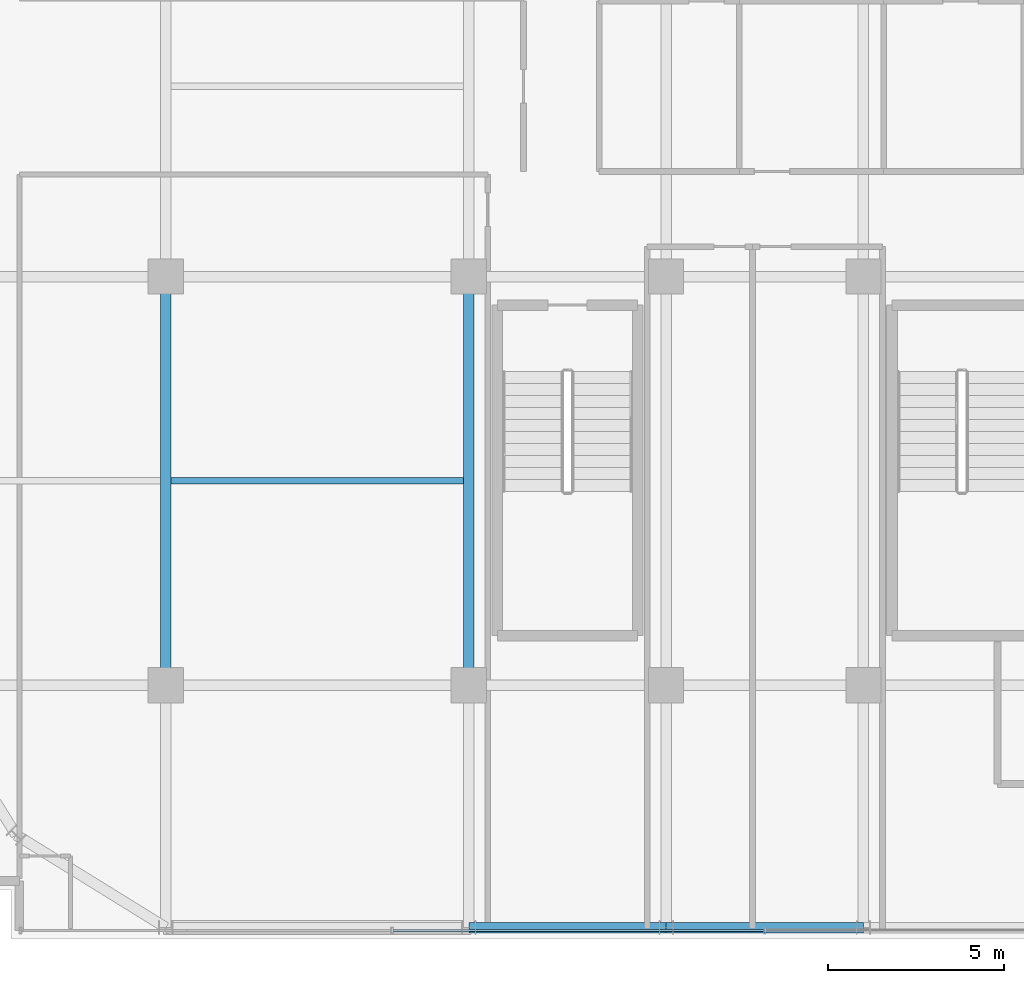
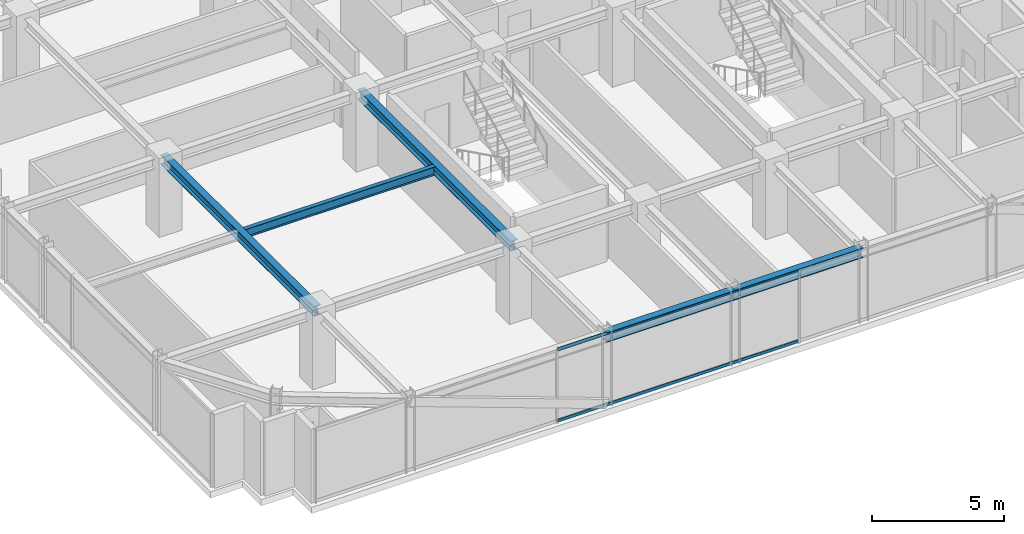
# One storey, part 7 of 36: 5 beams, 2 members, 1 element without a shape of its own.
"""IFC4 building model written with IfcOpenShell, lengths in metres."""

from ifc_helpers import new_model, si_unit, direction, frame, origin, origin_2d, place, context, subcontext, project, spatial, hollow_rectangle, i_section, extrude, source, transform, mapped, material, material_profile, profile_set, type_object, element, aggregate, save


model = new_model("IFC4")

# Units and contexts
model_context = context("Model", 3, precision=1e-05, world=origin(), true_north=direction((0.0, 1.0)))
body_context = subcontext(model_context, "Body", "Model", "MODEL_VIEW")
ifc_project = project(units=[si_unit("LENGTHUNIT", "METRE"), si_unit("AREAUNIT", "SQUARE_METRE"), si_unit("VOLUMEUNIT", "CUBIC_METRE"), si_unit("PLANEANGLEUNIT", "RADIAN"), si_unit("MASSUNIT", "GRAM", prefix="KILO")], contexts=[model_context])

# Site, building, storey
site_placement = place(None, origin())
site = spatial("IfcSite", under=ifc_project, at=site_placement, CompositionType="ELEMENT")
building_placement = place(site_placement, origin())
building = spatial("IfcBuilding", under=site, at=building_placement, Name="Nahalor Promenade Grand Hotel", CompositionType="ELEMENT")
storey_placement = place(building_placement, frame((0.0, 0.0, 219.699951171875)))
storey = spatial("IfcBuildingStorey", under=building, at=storey_placement, Name="L56", CompositionType="ELEMENT", Elevation=219.699951171875)

# Beams
ifc_material_1 = material(Name="Steel S355JR", Category="steel")
ifc_material_profile_1 = material_profile(ifc_material_1, i_section(OverallWidth=0.3, OverallDepth=0.45, WebThickness=0.014, FlangeThickness=0.026, at=origin_2d()), Name="HEB 450")
ifc_profile_set_1 = profile_set([ifc_material_profile_1], Name="Steel S355JR")
beam_type_1 = type_object("IfcBeamType", Name="Beam-Spandrel-HEB450", PredefinedType="SPANDREL", material=ifc_profile_set_1)
shared_shape_1 = source(origin(), body_context, "Body", "SweptSolid", [
    extrude(i_section(OverallWidth=0.3, OverallDepth=0.45, WebThickness=0.014, FlangeThickness=0.026, at=origin_2d()), origin(), (0.0, 0.0, 1.0), 5.599853515625),
])
beam_1_placement = place(storey_placement, frame((-8.39990234375, -23.8798828125, 3.18505859375), z_axis=(1.0, 0.0, 0.0), x_axis=(0.0, 1.0, 0.0)))
element("IfcBeam", 1, at=beam_1_placement, inside=storey, type_object=beam_type_1, Name="BM-L56-SP-S-1", PredefinedType="SPANDREL", context=body_context, shape_type="MappedRepresentation", body=[
    mapped(shared_shape_1, transform((0.0, 0.0, 0.0), scale=1.0)),
])
shared_shape_2 = source(origin(), body_context, "Body", "SweptSolid", [
    extrude(i_section(OverallWidth=0.3, OverallDepth=0.45, WebThickness=0.014, FlangeThickness=0.026, at=origin_2d()), origin(), (0.0, 0.0, 1.0), 5.60009765625),
])
beam_2_placement = place(storey_placement, frame((-2.800048828125, -23.8798828125, 3.18505859375), z_axis=(1.0, 0.0, 0.0), x_axis=(0.0, 1.0, 0.0)))
element("IfcBeam", 2, at=beam_2_placement, inside=storey, type_object=beam_type_1, Name="BM-L56-SP-S-2", PredefinedType="SPANDREL", context=body_context, shape_type="MappedRepresentation", body=[
    mapped(shared_shape_2, transform((0.0, 0.0, 0.0), scale=1.0)),
])
ifc_material_profile_2 = material_profile(ifc_material_1, i_section(OverallWidth=0.3, OverallDepth=0.45, WebThickness=0.014, FlangeThickness=0.026, at=origin_2d()), Name="HEB 450")
ifc_profile_set_2 = profile_set([ifc_material_profile_2], Name="Steel S355JR")
beam_type_2 = type_object("IfcBeamType", Name="Beam-Girder-HEB450", PredefinedType="BEAM", material=ifc_profile_set_2)
shared_shape_3 = source(origin(), body_context, "Body", "SweptSolid", [
    extrude(i_section(OverallWidth=0.3, OverallDepth=0.45, WebThickness=0.014, FlangeThickness=0.026, at=origin_2d()), origin(), (0.0, 0.0, 1.0), 11.60009765625),
])
for number, where, z_axis, x_axis, name in (
    (3, (-17.0, -17.0, 3.18505859375), (0.0, 1.0, 0.0), (-1.0, 0.0, 0.0), "BM-L56-GY-0-1"),
    (4, (-8.39990234375, -17.0, 3.18505859375), (0.0, 1.0, 0.0), (-1.0, 0.0, 0.0), "BM-L56-GY-1-1"),
):
    element("IfcBeam", number, at=place(storey_placement, frame(where, z_axis=z_axis, x_axis=x_axis)), inside=storey, type_object=beam_type_2, Name=name, PredefinedType="BEAM", context=body_context, shape_type="MappedRepresentation", body=[
        mapped(shared_shape_3, transform((0.0, 0.0, 0.0), scale=1.0)),
    ])
ifc_material_profile_3 = material_profile(ifc_material_1, i_section(OverallWidth=0.18, OverallDepth=0.4, WebThickness=0.0086, FlangeThickness=0.0135, at=origin_2d()), Name="IPE 400")
ifc_profile_set_3 = profile_set([ifc_material_profile_3], Name="Steel S355JR")
beam_type_3 = type_object("IfcBeamType", Name="Beam-Joist-IPE400", PredefinedType="JOIST", material=ifc_profile_set_3)
shared_shape_4 = source(origin(), body_context, "Body", "SweptSolid", [
    extrude(i_section(OverallWidth=0.18, OverallDepth=0.4, WebThickness=0.0086, FlangeThickness=0.0135, at=origin_2d()), origin(), (0.0, 0.0, 1.0), 8.300048828125),
])
beam_3_placement = place(storey_placement, frame((-16.85009765625, -11.199951171875, 3.2099609375), z_axis=(1.0, 0.0, 0.0), x_axis=(0.0, 1.0, 0.0)))
element("IfcBeam", 5, at=beam_3_placement, inside=storey, type_object=beam_type_3, Name="BM-L56-JSW-0-1", PredefinedType="JOIST", context=body_context, shape_type="MappedRepresentation", body=[
    mapped(shared_shape_4, transform((0.0, 0.0, 0.0), scale=1.0)),
])

# Curtain wall, members
ifc_material_2 = material(Name="Anodised Bronze Aluminium EN AW-6063 T6", Category="aluminium")
curtain_wall_type = type_object("IfcCurtainWallType", Name="CW2 Typical Hotel Flush Bronze Unitised Curtain Wall", PredefinedType="USERDEFINED", material=ifc_material_2)
curtain_wall_placement = place(storey_placement, origin())
curtain_wall = element("IfcCurtainWall", 6, at=curtain_wall_placement, inside=storey, type_object=curtain_wall_type, Name="L56 Curtain Wall CW-L56-S-1", ObjectType="UNITISED_CURTAIN_WALL", PredefinedType="USERDEFINED")
ifc_material_profile_4 = material_profile(ifc_material_2, hollow_rectangle(XDim=0.065, YDim=0.13, WallThickness=0.004, at=origin_2d()), Name="CWT 65x130x4")
ifc_profile_set_4 = profile_set([ifc_material_profile_4], Name="Anodised Bronze Aluminium EN AW-6063 T6")
member_type = type_object("IfcMemberType", Name="CWT2 Typical Bronze Transom 65x130", PredefinedType="USERDEFINED", material=ifc_profile_set_4)
shared_shape_5 = source(origin(), body_context, "Body", "SweptSolid", [
    extrude(hollow_rectangle(XDim=0.065, YDim=0.13, WallThickness=0.004, at=origin_2d()), origin(), (0.0, 0.0, 1.0), 10.51513671875),
])
member_1_placement = place(storey_placement, frame((-10.547607421875, -23.9599609375, 0.06494140625), z_axis=(1.0, 0.0, 0.0), x_axis=(0.0, 1.0, 0.0)))
member_1 = element("IfcMember", 7, at=member_1_placement, type_object=member_type, Name="CW-L56-S-1 Transom 1-0", ObjectType="TRANSOM", PredefinedType="USERDEFINED", context=body_context, shape_type="MappedRepresentation", body=[
    mapped(shared_shape_5, transform((0.0, 0.0, 0.0), scale=1.0)),
])
member_2_placement = place(storey_placement, frame((-10.547607421875, -23.9599609375, 3.344970703125), z_axis=(1.0, 0.0, 0.0), x_axis=(0.0, 1.0, 0.0)))
member_2 = element("IfcMember", 8, at=member_2_placement, type_object=member_type, Name="CW-L56-S-1 Transom 1-1", ObjectType="TRANSOM", PredefinedType="USERDEFINED", context=body_context, shape_type="MappedRepresentation", body=[
    mapped(shared_shape_5, transform((0.0, 0.0, 0.0), scale=1.0)),
])
aggregate(curtain_wall, [member_1, member_2])

save(model, "model.ifc")
